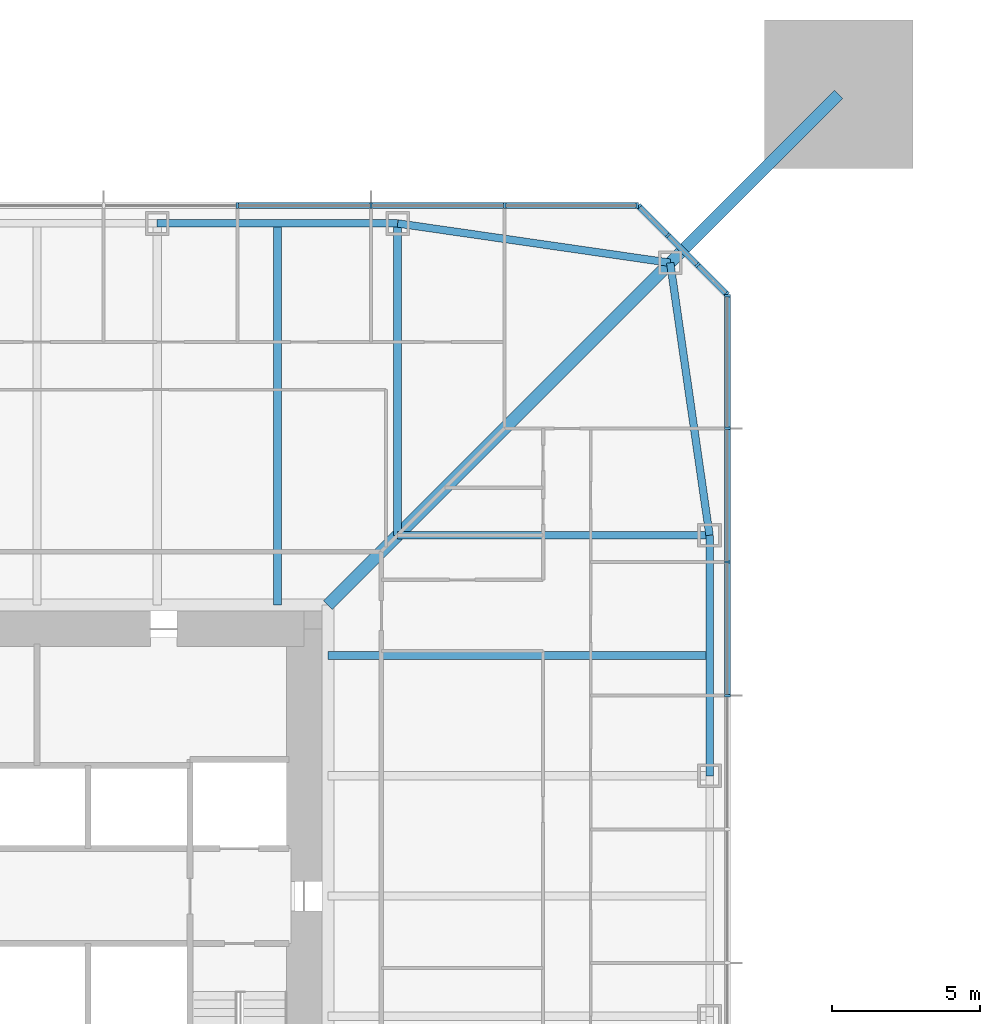
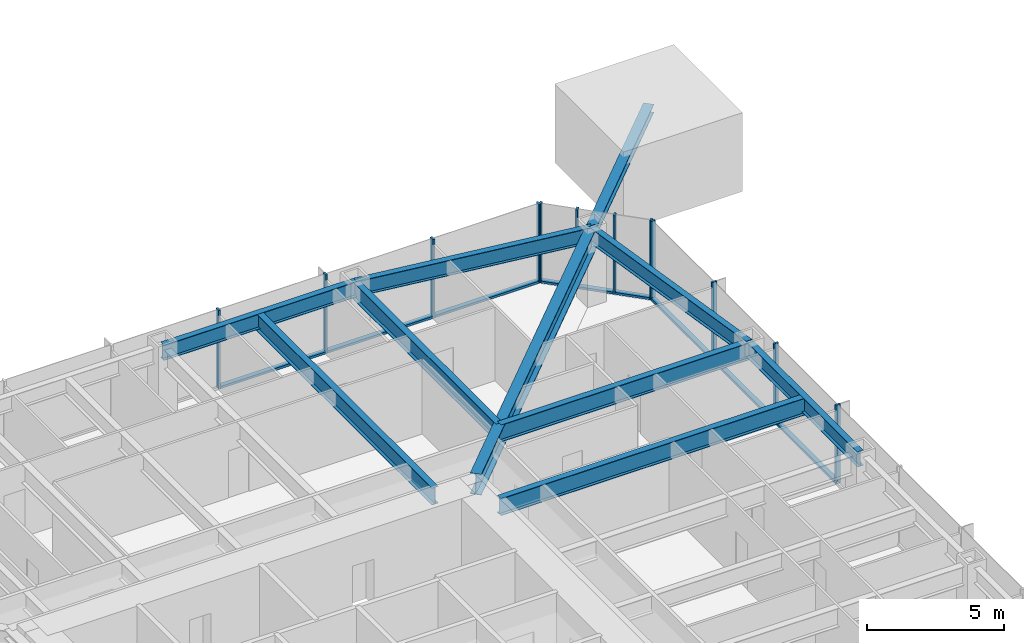
# One storey, part 7 of 26: 22 members, 9 beams, 3 elements without a shape of their own.
"""IFC4 building model written with IfcOpenShell, lengths in metres."""

from ifc_helpers import new_model, si_unit, direction, frame, origin, origin_2d, place, context, subcontext, project, spatial, rectangle, i_section, extrude, material, material_profile, profile_set, type_object, element, aggregate, save


model = new_model("IFC4")

# Units and contexts
model_context = context("Model", 3, precision=1e-05, world=origin(), true_north=direction((0.0, 1.0)))
body_context = subcontext(model_context, "Body", "Model", "MODEL_VIEW")
ifc_project = project(units=[si_unit("LENGTHUNIT", "METRE"), si_unit("AREAUNIT", "SQUARE_METRE"), si_unit("VOLUMEUNIT", "CUBIC_METRE"), si_unit("PLANEANGLEUNIT", "RADIAN"), si_unit("MASSUNIT", "GRAM", prefix="KILO")], contexts=[model_context])

# Site, building, storey
site_placement = place(None, origin())
site = spatial("IfcSite", under=ifc_project, at=site_placement, CompositionType="ELEMENT")
building_placement = place(site_placement, origin())
building = spatial("IfcBuilding", under=site, at=building_placement, Name="Iwan Alto Co-Living Towers", CompositionType="ELEMENT")
storey_placement = place(building_placement, frame((0.0, 0.0, 46.5)))
storey = spatial("IfcBuildingStorey", under=building, at=storey_placement, Name="L12", CompositionType="ELEMENT", Elevation=46.5)

# Curtain wall, members
ifc_material_1 = material(Name="Bronze aluminium unitised frame", Category="aluminium")
curtain_wall_type_1 = type_object("IfcCurtainWallType", Name="CURTAIN WALL CW-A", PredefinedType="NOTDEFINED", material=ifc_material_1)
curtain_wall_1_placement = place(storey_placement, origin())
curtain_wall_1 = element("IfcCurtainWall", 1, at=curtain_wall_1_placement, inside=storey, type_object=curtain_wall_type_1, Name="T1 curtain wall E L12", PredefinedType="NOTDEFINED")
ifc_material_2 = material(Name="Aluminium 6063-T6 bronze anodised", Category="aluminium")
ifc_material_profile_1 = material_profile(ifc_material_2, rectangle(XDim=0.199951171875, YDim=0.080078125, at=origin_2d()), Name="AL 80X200")
ifc_profile_set_1 = profile_set([ifc_material_profile_1], Name="Aluminium 6063-T6 bronze anodised")
member_type_1 = type_object("IfcMemberType", Name="CW-A MULLION 80X200", PredefinedType="MULLION", material=ifc_profile_set_1)
member_1_placement = place(storey_placement, frame((23.25, 6.75, 0.0), z_axis=(0.0, 0.0, 1.0), x_axis=(-1.0, 0.0, 0.0)))
member_1 = element("IfcMember", 2, at=member_1_placement, type_object=member_type_1, Name="CW-A mullion 7", PredefinedType="MULLION", context=body_context, shape_type="SweptSolid", body=[
    extrude(rectangle(XDim=0.199951171875, YDim=0.080078125, at=origin_2d()), origin(), (0.0, 0.0, 1.0), 3.5),
])
member_2_placement = place(storey_placement, frame((23.25, 11.25, 0.0), z_axis=(0.0, 0.0, 1.0), x_axis=(-1.0, 0.0, 0.0)))
member_2 = element("IfcMember", 3, at=member_2_placement, type_object=member_type_1, Name="CW-A mullion 8", PredefinedType="MULLION", context=body_context, shape_type="SweptSolid", body=[
    extrude(rectangle(XDim=0.199951171875, YDim=0.080078125, at=origin_2d()), origin(), (0.0, 0.0, 1.0), 3.5),
])
member_3_placement = place(storey_placement, frame((23.25, 15.75, 0.0), z_axis=(0.0, 0.0, 1.0), x_axis=(-1.0, 0.0, 0.0)))
member_3 = element("IfcMember", 4, at=member_3_placement, type_object=member_type_1, Name="CW-A mullion 9", PredefinedType="MULLION", context=body_context, shape_type="SweptSolid", body=[
    extrude(rectangle(XDim=0.199951171875, YDim=0.080078125, at=origin_2d()), origin(), (0.0, 0.0, 1.0), 3.5),
])
member_4_placement = place(storey_placement, frame((23.25, 20.2099609375, 0.0), z_axis=(0.0, 0.0, 1.0), x_axis=(-1.0, 0.0, 0.0)))
member_4 = element("IfcMember", 5, at=member_4_placement, type_object=member_type_1, Name="CW-A mullion 10", PredefinedType="MULLION", context=body_context, shape_type="SweptSolid", body=[
    extrude(rectangle(XDim=0.199951171875, YDim=0.080078125, at=origin_2d()), origin(), (0.0, 0.0, 1.0), 3.5),
])

curtain_wall_2_placement = place(storey_placement, origin())
curtain_wall_2 = element("IfcCurtainWall", 6, at=curtain_wall_2_placement, inside=storey, type_object=curtain_wall_type_1, Name="T1 curtain wall N L12", PredefinedType="NOTDEFINED")
member_5_placement = place(storey_placement, frame((20.2099609375, 23.25, 0.0), z_axis=(0.0, 0.0, 1.0), x_axis=(0.0, -1.0, 0.0)))
member_5 = element("IfcMember", 7, at=member_5_placement, type_object=member_type_1, Name="CW-A mullion 1", PredefinedType="MULLION", context=body_context, shape_type="SweptSolid", body=[
    extrude(rectangle(XDim=0.199951171875, YDim=0.080078125, at=origin_2d()), origin(), (0.0, 0.0, 1.0), 3.5),
])
member_6_placement = place(storey_placement, frame((15.75, 23.25, 0.0), z_axis=(0.0, 0.0, 1.0), x_axis=(0.0, -1.0, 0.0)))
member_6 = element("IfcMember", 8, at=member_6_placement, type_object=member_type_1, Name="CW-A mullion 2", PredefinedType="MULLION", context=body_context, shape_type="SweptSolid", body=[
    extrude(rectangle(XDim=0.199951171875, YDim=0.080078125, at=origin_2d()), origin(), (0.0, 0.0, 1.0), 3.5),
])
member_7_placement = place(storey_placement, frame((11.25, 23.25, 0.0), z_axis=(0.0, 0.0, 1.0), x_axis=(0.0, -1.0, 0.0)))
member_7 = element("IfcMember", 9, at=member_7_placement, type_object=member_type_1, Name="CW-A mullion 3", PredefinedType="MULLION", context=body_context, shape_type="SweptSolid", body=[
    extrude(rectangle(XDim=0.199951171875, YDim=0.080078125, at=origin_2d()), origin(), (0.0, 0.0, 1.0), 3.5),
])
member_8_placement = place(storey_placement, frame((6.75, 23.25, 0.0), z_axis=(0.0, 0.0, 1.0), x_axis=(0.0, -1.0, 0.0)))
member_8 = element("IfcMember", 10, at=member_8_placement, type_object=member_type_1, Name="CW-A mullion 4", PredefinedType="MULLION", context=body_context, shape_type="SweptSolid", body=[
    extrude(rectangle(XDim=0.199951171875, YDim=0.080078125, at=origin_2d()), origin(), (0.0, 0.0, 1.0), 3.5),
])

# Member
ifc_material_3 = material(Name="Aluminium 6063-T6 bronze anodised", Category="aluminium")
ifc_material_profile_2 = material_profile(ifc_material_3, rectangle(XDim=0.199951171875, YDim=0.10009765625, at=origin_2d()), Name="AL 200X100")
ifc_profile_set_2 = profile_set([ifc_material_profile_2], Name="Aluminium 6063-T6 bronze anodised")
member_type_2 = type_object("IfcMemberType", Name="CW-A TRANSOM 200X100", PredefinedType="USERDEFINED", material=ifc_profile_set_2)
member_9_placement = place(storey_placement, frame((23.25, 6.7900390625, 0.050048828125), z_axis=(0.0, 1.0, 0.0), x_axis=(-1.0, 0.0, 0.0)))
member_9 = element("IfcMember", 11, at=member_9_placement, type_object=member_type_2, Name="CW-A transom 7.1", ObjectType="TRANSOM", PredefinedType="USERDEFINED", context=body_context, shape_type="SweptSolid", body=[
    extrude(rectangle(XDim=0.199951171875, YDim=0.10009765625, at=origin_2d()), origin(), (0.0, 0.0, 1.0), 4.419921875),
])

member_10_placement = place(storey_placement, frame((23.25, 11.2900390625, 0.050048828125), z_axis=(0.0, 1.0, 0.0), x_axis=(-1.0, 0.0, 0.0)))
member_10 = element("IfcMember", 12, at=member_10_placement, type_object=member_type_2, Name="CW-A transom 8.1", ObjectType="TRANSOM", PredefinedType="USERDEFINED", context=body_context, shape_type="SweptSolid", body=[
    extrude(rectangle(XDim=0.199951171875, YDim=0.10009765625, at=origin_2d()), origin(), (0.0, 0.0, 1.0), 4.419921875),
])

member_11_placement = place(storey_placement, frame((23.25, 15.7900390625, 0.050048828125), z_axis=(0.0, 1.0, 0.0), x_axis=(-1.0, 0.0, 0.0)))
member_11 = element("IfcMember", 13, at=member_11_placement, type_object=member_type_2, Name="CW-A transom 9.1", ObjectType="TRANSOM", PredefinedType="USERDEFINED", context=body_context, shape_type="SweptSolid", body=[
    extrude(rectangle(XDim=0.199951171875, YDim=0.10009765625, at=origin_2d()), origin(), (0.0, 0.0, 1.0), 4.3798828125),
])

aggregate(curtain_wall_1, [member_1, member_2, member_3, member_4, member_9, member_10, member_11])

member_12_placement = place(storey_placement, frame((20.169921875, 23.25, 0.050048828125), z_axis=(-1.0, 0.0, 0.0), x_axis=(0.0, -1.0, 0.0)))
member_12 = element("IfcMember", 14, at=member_12_placement, type_object=member_type_2, Name="CW-A transom 1.1", ObjectType="TRANSOM", PredefinedType="USERDEFINED", context=body_context, shape_type="SweptSolid", body=[
    extrude(rectangle(XDim=0.199951171875, YDim=0.10009765625, at=origin_2d()), origin(), (0.0, 0.0, 1.0), 4.3798828125),
])

member_13_placement = place(storey_placement, frame((15.7099609375, 23.25, 0.050048828125), z_axis=(-1.0, 0.0, 0.0), x_axis=(0.0, -1.0, 0.0)))
member_13 = element("IfcMember", 15, at=member_13_placement, type_object=member_type_2, Name="CW-A transom 2.1", ObjectType="TRANSOM", PredefinedType="USERDEFINED", context=body_context, shape_type="SweptSolid", body=[
    extrude(rectangle(XDim=0.199951171875, YDim=0.10009765625, at=origin_2d()), origin(), (0.0, 0.0, 1.0), 4.419921875),
])

member_14_placement = place(storey_placement, frame((11.2099609375, 23.25, 0.050048828125), z_axis=(-1.0, 0.0, 0.0), x_axis=(0.0, -1.0, 0.0)))
member_14 = element("IfcMember", 16, at=member_14_placement, type_object=member_type_2, Name="CW-A transom 3.1", ObjectType="TRANSOM", PredefinedType="USERDEFINED", context=body_context, shape_type="SweptSolid", body=[
    extrude(rectangle(XDim=0.199951171875, YDim=0.10009765625, at=origin_2d()), origin(), (0.0, 0.0, 1.0), 4.419921875),
])

aggregate(curtain_wall_2, [member_5, member_6, member_7, member_8, member_12, member_13, member_14])

# Curtain wall, members
ifc_material_4 = material(Name="Bronze aluminium unitised frame", Category="aluminium")
curtain_wall_type_2 = type_object("IfcCurtainWallType", Name="CURTAIN WALL CW-B", PredefinedType="NOTDEFINED", material=ifc_material_4)
curtain_wall_3_placement = place(storey_placement, origin())
curtain_wall_3 = element("IfcCurtainWall", 17, at=curtain_wall_3_placement, inside=storey, type_object=curtain_wall_type_2, Name="T1 chamfer curtain wall NE L12", PredefinedType="NOTDEFINED")
ifc_material_5 = material(Name="Aluminium 6063-T6 bronze anodised", Category="aluminium")
ifc_material_profile_3 = material_profile(ifc_material_5, rectangle(XDim=0.199951171875, YDim=0.080078125, at=origin_2d()), Name="AL 80X200")
ifc_profile_set_3 = profile_set([ifc_material_profile_3], Name="Aluminium 6063-T6 bronze anodised")
member_type_3 = type_object("IfcMemberType", Name="CW-B MULLION 80X200", PredefinedType="MULLION", material=ifc_profile_set_3)
member_15_placement = place(storey_placement, frame((23.2216796875, 20.2783203125, 0.0), z_axis=(0.0, 0.0, 1.0), x_axis=(-0.707106781187, -0.707106781187, 0.0)))
member_15 = element("IfcMember", 18, at=member_15_placement, type_object=member_type_3, Name="CW-B mullion 1", PredefinedType="MULLION", context=body_context, shape_type="SweptSolid", body=[
    extrude(rectangle(XDim=0.199951171875, YDim=0.080078125, at=origin_2d()), origin(), (0.0, 0.0, 1.0), 3.5),
])
member_16_placement = place(storey_placement, frame((22.25, 21.25, 0.0), z_axis=(0.0, 0.0, 1.0), x_axis=(-0.707106781187, -0.707106781187, 0.0)))
member_16 = element("IfcMember", 19, at=member_16_placement, type_object=member_type_3, Name="CW-B mullion 2", PredefinedType="MULLION", context=body_context, shape_type="SweptSolid", body=[
    extrude(rectangle(XDim=0.199951171875, YDim=0.080078125, at=origin_2d()), origin(), (0.0, 0.0, 1.0), 3.5),
])
member_17_placement = place(storey_placement, frame((21.25, 22.25, 0.0), z_axis=(0.0, 0.0, 1.0), x_axis=(-0.707106781187, -0.707106781187, 0.0)))
member_17 = element("IfcMember", 20, at=member_17_placement, type_object=member_type_3, Name="CW-B mullion 3", PredefinedType="MULLION", context=body_context, shape_type="SweptSolid", body=[
    extrude(rectangle(XDim=0.199951171875, YDim=0.080078125, at=origin_2d()), origin(), (0.0, 0.0, 1.0), 3.5),
])
member_18_placement = place(storey_placement, frame((20.2783203125, 23.2216796875, 0.0), z_axis=(0.0, 0.0, 1.0), x_axis=(-0.707106781187, -0.707106781187, 0.0)))
member_18 = element("IfcMember", 21, at=member_18_placement, type_object=member_type_3, Name="CW-B mullion 4", PredefinedType="MULLION", context=body_context, shape_type="SweptSolid", body=[
    extrude(rectangle(XDim=0.199951171875, YDim=0.080078125, at=origin_2d()), origin(), (0.0, 0.0, 1.0), 3.5),
])
ifc_material_6 = material(Name="Aluminium 6063-T6 bronze anodised", Category="aluminium")
ifc_material_profile_4 = material_profile(ifc_material_6, rectangle(XDim=0.199951171875, YDim=0.10009765625, at=origin_2d()), Name="AL 200X100")
ifc_profile_set_4 = profile_set([ifc_material_profile_4], Name="Aluminium 6063-T6 bronze anodised")
member_type_4 = type_object("IfcMemberType", Name="CW-B TRANSOM 200X100", PredefinedType="USERDEFINED", material=ifc_profile_set_4)
member_19_placement = place(storey_placement, frame((23.193359375, 20.306640625, 0.050048828125), z_axis=(-0.707106781187, 0.707106781187, 0.0), x_axis=(-0.707106781187, -0.707106781187, 0.0)))
member_19 = element("IfcMember", 22, at=member_19_placement, type_object=member_type_4, Name="CW-B transom 1.1", ObjectType="TRANSOM", PredefinedType="USERDEFINED", context=body_context, shape_type="SweptSolid", body=[
    extrude(rectangle(XDim=0.199951171875, YDim=0.10009765625, at=origin_2d()), origin(), (0.0, 0.0, 1.0), 1.2939453125),
])
member_20_placement = place(storey_placement, frame((22.2216796875, 21.2783203125, 0.050048828125), z_axis=(-0.707106781187, 0.707106781187, 0.0), x_axis=(-0.707106781187, -0.707106781187, 0.0)))
member_20 = element("IfcMember", 23, at=member_20_placement, type_object=member_type_4, Name="CW-B transom 2.1", ObjectType="TRANSOM", PredefinedType="USERDEFINED", context=body_context, shape_type="SweptSolid", body=[
    extrude(rectangle(XDim=0.199951171875, YDim=0.10009765625, at=origin_2d()), origin(), (0.0, 0.0, 1.0), 1.334228515625),
])
member_21_placement = place(storey_placement, frame((21.2216796875, 22.2783203125, 0.050048828125), z_axis=(-0.707106781187, 0.707106781187, 0.0), x_axis=(-0.707106781187, -0.707106781187, 0.0)))
member_21 = element("IfcMember", 24, at=member_21_placement, type_object=member_type_4, Name="CW-B transom 3.1", ObjectType="TRANSOM", PredefinedType="USERDEFINED", context=body_context, shape_type="SweptSolid", body=[
    extrude(rectangle(XDim=0.199951171875, YDim=0.10009765625, at=origin_2d()), origin(), (0.0, 0.0, 1.0), 1.2939453125),
])
aggregate(curtain_wall_3, [member_15, member_16, member_17, member_18, member_19, member_20, member_21])

# Beams
ifc_material_7 = material(Name="Steel ASTM A992 Gr 50", Category="steel")
ifc_material_profile_5 = material_profile(ifc_material_7, i_section(OverallWidth=0.419189453125, OverallDepth=0.927001953125, WebThickness=0.019287109375, FlangeThickness=0.031982421875, at=origin_2d()), Name="W36X231")
ifc_profile_set_5 = profile_set([ifc_material_profile_5], Name="Steel ASTM A992 Gr 50")
beam_type_1 = type_object("IfcBeamType", Name="T1 CORNER GIRDER W36X231", PredefinedType="BEAM", material=ifc_profile_set_5)
beam_1_placement = place(storey_placement, frame((21.32568359375, 21.32568359375, 2.806396484375), z_axis=(-0.707106781187, -0.707106781187, 0.0), x_axis=(0.707106781187, -0.707106781187, 0.0)))
element("IfcBeam", 25, at=beam_1_placement, inside=storey, type_object=beam_type_1, Name="T1 corner girder CNE L13", PredefinedType="BEAM", context=body_context, shape_type="SweptSolid", body=[
    extrude(i_section(OverallWidth=0.419189453125, OverallDepth=0.927001953125, WebThickness=0.019287109375, FlangeThickness=0.031982421875, at=origin_2d()), origin(), (0.0, 0.0, 1.0), 16.296875),
])
ifc_material_8 = material(Name="Steel ASTM A992 Gr 50", Category="steel")
ifc_material_profile_6 = material_profile(ifc_material_8, i_section(OverallWidth=0.25390625, OverallDepth=0.683349609375, WebThickness=0.012451171875, FlangeThickness=0.018798828125, at=origin_2d()), Name="W27X94")
ifc_profile_set_6 = profile_set([ifc_material_profile_6], Name="Steel ASTM A992 Gr 50")
beam_type_2 = type_object("IfcBeamType", Name="T1 EDGE BEAM W27X94", PredefinedType="BEAM", material=ifc_profile_set_6)
beam_2_placement = place(storey_placement, frame((22.64990234375, 4.050048828125, 2.928466796875), z_axis=(0.0, 1.0, 0.0), x_axis=(-1.0, 0.0, 0.0)))
element("IfcBeam", 26, at=beam_2_placement, inside=storey, type_object=beam_type_2, Name="T1 edge beam E3 L13", PredefinedType="BEAM", context=body_context, shape_type="SweptSolid", body=[
    extrude(i_section(OverallWidth=0.25390625, OverallDepth=0.683349609375, WebThickness=0.012451171875, FlangeThickness=0.018798828125, at=origin_2d()), origin(), (0.0, 0.0, 1.0), 8.099853515625),
])
for number, where, z_axis, x_axis, name in (
    (27, (22.64990234375, 12.14990234375, 2.928466796875), (-0.142836940589, 0.989746234347, 0.0), (-0.989746234347, -0.142836940589, 0.0), "T1 edge beam E4 L13"),
    (28, (21.32568359375, 21.32568359375, 2.928466796875), (-0.989746234347, 0.142836940589, 0.0), (-0.142836940589, -0.989746234347, 0.0), "T1 edge beam CNE L13"),
):
    element("IfcBeam", number, at=place(storey_placement, frame(where, z_axis=z_axis, x_axis=x_axis)), inside=storey, type_object=beam_type_2, Name=name, PredefinedType="BEAM", context=body_context, shape_type="SweptSolid", body=[
        extrude(i_section(OverallWidth=0.25390625, OverallDepth=0.683349609375, WebThickness=0.012451171875, FlangeThickness=0.018798828125, at=origin_2d()), origin(), (0.0, 0.0, 1.0), 9.270751953125),
    ])
beam_3_placement = place(storey_placement, frame((12.14990234375, 22.64990234375, 2.928466796875), z_axis=(-1.0, 0.0, 0.0), x_axis=(0.0, -1.0, 0.0)))
element("IfcBeam", 29, at=beam_3_placement, inside=storey, type_object=beam_type_2, Name="T1 edge beam N1 L13", PredefinedType="BEAM", context=body_context, shape_type="SweptSolid", body=[
    extrude(i_section(OverallWidth=0.25390625, OverallDepth=0.683349609375, WebThickness=0.012451171875, FlangeThickness=0.018798828125, at=origin_2d()), origin(), (0.0, 0.0, 1.0), 8.099853515625),
])

# Member
ifc_material_9 = material(Name="Steel ASTM A992 Gr 50", Category="steel")
ifc_material_profile_7 = material_profile(ifc_material_9, i_section(OverallWidth=0.393798828125, OverallDepth=0.3759765625, WebThickness=0.017333984375, FlangeThickness=0.027587890625, at=origin_2d()), Name="W14X145")
ifc_profile_set_7 = profile_set([ifc_material_profile_7], Name="Steel ASTM A992 Gr 50")
member_type_5 = type_object("IfcMemberType", Name="T1 MEGA COLUMN FLOOR TIE W14X145", PredefinedType="STRUT", material=ifc_profile_set_7)
member_22_placement = place(storey_placement, frame((27.0, 27.0, 3.08203125), z_axis=(-0.707106781187, -0.707106781187, 0.0), x_axis=(0.707106781187, -0.707106781187, 0.0)))
element("IfcMember", 30, at=member_22_placement, inside=storey, type_object=member_type_5, Name="T1 mega column floor tie NE L13", PredefinedType="STRUT", context=body_context, shape_type="SweptSolid", body=[
    extrude(i_section(OverallWidth=0.393798828125, OverallDepth=0.3759765625, WebThickness=0.017333984375, FlangeThickness=0.027587890625, at=origin_2d()), origin(), (0.0, 0.0, 1.0), 8.024658203125),
])

# Beams
ifc_material_10 = material(Name="Steel ASTM A992 Gr 50", Category="steel")
ifc_material_profile_8 = material_profile(ifc_material_10, i_section(OverallWidth=0.2666015625, OverallDepth=0.761962890625, WebThickness=0.014404296875, FlangeThickness=0.021484375, at=origin_2d()), Name="W30X116")
ifc_profile_set_8 = profile_set([ifc_material_profile_8], Name="Steel ASTM A992 Gr 50")
beam_type_3 = type_object("IfcBeamType", Name="T1 RADIAL BEAM W30X116", PredefinedType="BEAM", material=ifc_profile_set_8)
for number, where, z_axis, x_axis, name in (
    (31, (22.64990234375, 12.14990234375, 2.888916015625), (-1.0, 0.0, 0.0), (0.0, -1.0, 0.0), "T1 radial beam E4 L13"),
    (32, (12.14990234375, 22.64990234375, 2.888916015625), (0.0, -1.0, 0.0), (1.0, 0.0, 0.0), "T1 radial beam N1 L13"),
):
    element("IfcBeam", number, at=place(storey_placement, frame(where, z_axis=z_axis, x_axis=x_axis)), inside=storey, type_object=beam_type_3, Name=name, PredefinedType="BEAM", context=body_context, shape_type="SweptSolid", body=[
        extrude(i_section(OverallWidth=0.2666015625, OverallDepth=0.761962890625, WebThickness=0.014404296875, FlangeThickness=0.021484375, at=origin_2d()), origin(), (0.0, 0.0, 1.0), 10.5),
    ])
ifc_material_11 = material(Name="Steel ASTM A992 Gr 50", Category="steel")
ifc_material_profile_9 = material_profile(ifc_material_11, i_section(OverallWidth=0.2666015625, OverallDepth=0.761962890625, WebThickness=0.014404296875, FlangeThickness=0.021484375, at=origin_2d()), Name="W30X116")
ifc_profile_set_9 = profile_set([ifc_material_profile_9], Name="Steel ASTM A992 Gr 50")
beam_type_4 = type_object("IfcBeamType", Name="T1 SECONDARY BEAM W30X116", PredefinedType="JOIST", material=ifc_profile_set_9)
for number, where, z_axis, x_axis, name in (
    (33, (22.64990234375, 8.10009765625, 2.888916015625), (-1.0, 0.0, 0.0), (0.0, -1.0, 0.0), "T1 secondary beam E3 L13"),
    (34, (8.10009765625, 22.64990234375, 2.888916015625), (0.0, -1.0, 0.0), (1.0, 0.0, 0.0), "T1 secondary beam N1 L13"),
):
    element("IfcBeam", number, at=place(storey_placement, frame(where, z_axis=z_axis, x_axis=x_axis)), inside=storey, type_object=beam_type_4, Name=name, PredefinedType="JOIST", context=body_context, shape_type="SweptSolid", body=[
        extrude(i_section(OverallWidth=0.2666015625, OverallDepth=0.761962890625, WebThickness=0.014404296875, FlangeThickness=0.021484375, at=origin_2d()), origin(), (0.0, 0.0, 1.0), 12.847900390625),
    ])

save(model, "model.ifc")
